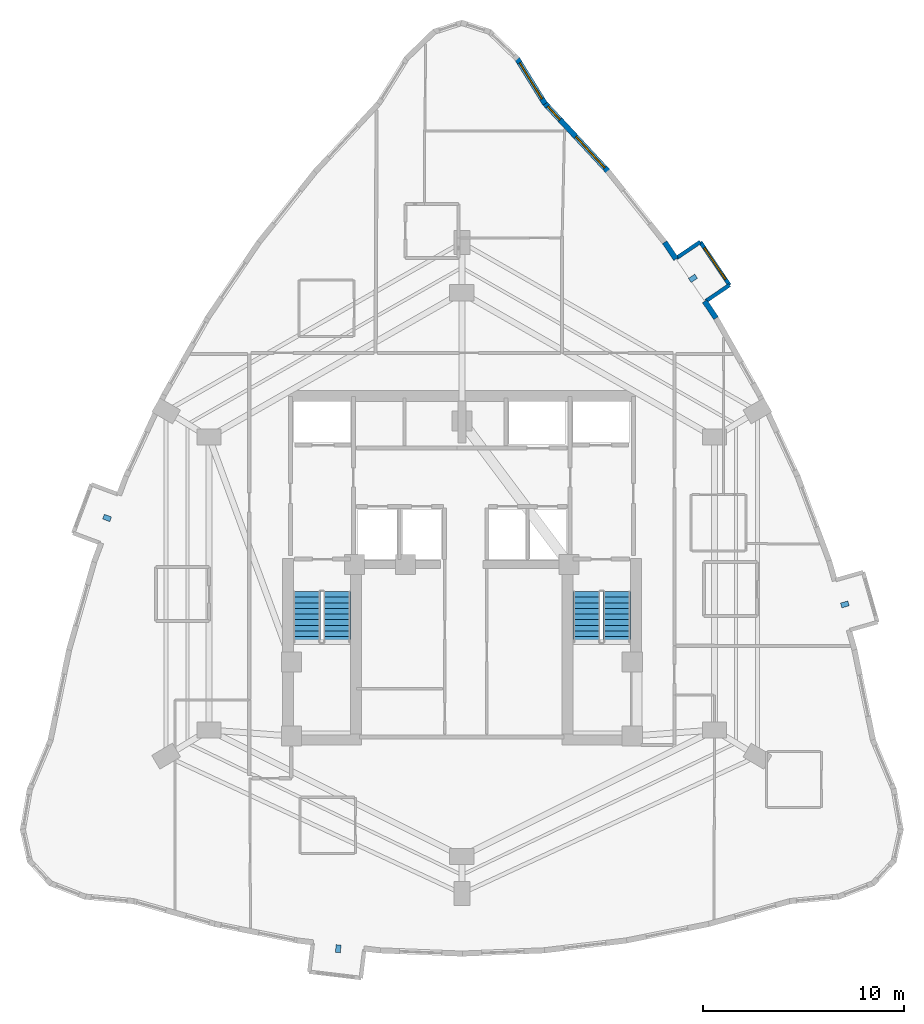
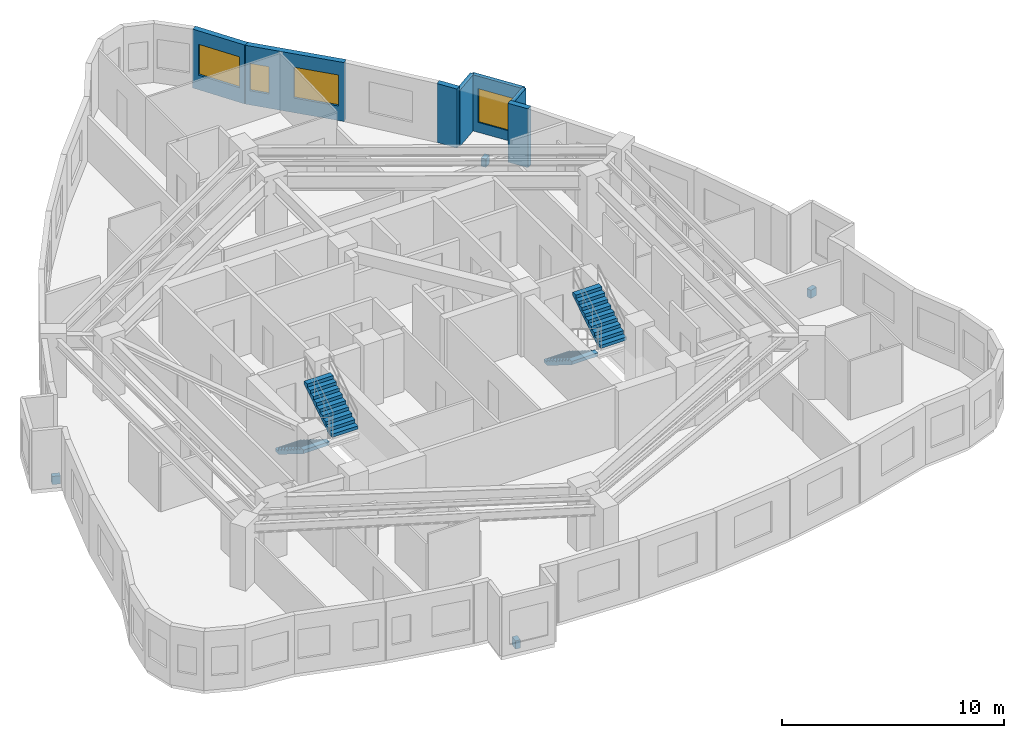
# One storey, part 9 of 10: 7 walls, 4 discrete accessories, 4 stair flights, 4 windows, 4 openings, 2 elements without a shape of their own.
"""IFC4 building model written with IfcOpenShell, lengths in metres."""

import ifcopenshell
import ifcopenshell.guid

model = None  # the IFC model being written
_history = None  # IfcOwnerHistory: only IFC2X3 demands one
_inside = {}  # id of a spatial element -> (the spatial element, [elements in it])
_under = {}  # id of a project, library or spatial element -> (it, [spatial elements below it])
_declared = {}  # id of a project -> (the project, [libraries it declares])
_typed = {}  # id of a type object -> (the type object, [elements of that type])
_made_of = {}  # id of a material, layer set ... -> (it, [elements and type objects made of it])


def new_model(schema):
    """Start an empty IFC model of exactly this schema.

    Asked for "IFC4X3", IfcOpenShell would pick the latest addendum, in which some entities
    have other attributes; the version numbers below select the first issue.
    IFC2X3 requires an IfcOwnerHistory on every rooted entity: one is made here for all.
    """
    global model, _history
    if schema == "IFC4X3":
        model = ifcopenshell.file(schema_version=(4, 3, 0, 0))
    else:
        model = ifcopenshell.file(schema=schema)
    _inside.clear()
    _under.clear()
    _declared.clear()
    _typed.clear()
    _made_of.clear()
    _history = None
    if model.schema == "IFC2X3":
        org = make("IfcOrganization", Name="unknown")
        user = make(
            "IfcPersonAndOrganization",
            ThePerson=make("IfcPerson", FamilyName="unknown"),
            TheOrganization=org,
        )
        app = make(
            "IfcApplication",
            ApplicationDeveloper=org,
            Version="unknown",
            ApplicationFullName="unknown",
            ApplicationIdentifier="unknown",
        )
        _history = make(
            "IfcOwnerHistory",
            OwningUser=user,
            OwningApplication=app,
            ChangeAction="ADDED",
            CreationDate=0,
        )
    return model


def make(cls, **values):
    """One entity of the class cls with the attributes given. An attribute that is None is left unset."""
    return model.create_entity(
        cls, **{name: value for name, value in values.items() if value is not None}
    )


def rooted(cls, **values):
    """An entity with a GlobalId (a new one), such as an element, a storey or a relation."""
    return make(cls, GlobalId=ifcopenshell.guid.new(), OwnerHistory=_history, **values)


def si_unit(unit_type, name, prefix=None):
    """IfcSIUnit, for example si_unit("LENGTHUNIT", "METRE", prefix="MILLI")."""
    return make("IfcSIUnit", UnitType=unit_type, Prefix=prefix, Name=name)


def assignment(units):
    """IfcUnitAssignment: the units of a project."""
    return None if units is None else make("IfcUnitAssignment", Units=units)


def point(xyz):
    """IfcCartesianPoint."""
    return None if xyz is None else make("IfcCartesianPoint", Coordinates=xyz)


def direction(xyz):
    """IfcDirection."""
    return None if xyz is None else make("IfcDirection", DirectionRatios=xyz)


def frame(location, z_axis=None, x_axis=None):
    """IfcAxis2Placement3D, a coordinate frame: its origin and axes. An axis left out is left unset."""
    return make(
        "IfcAxis2Placement3D",
        Location=point(location),
        Axis=direction(z_axis),
        RefDirection=direction(x_axis),
    )


def frame_2d(location, x_axis=None):
    """IfcAxis2Placement2D, a coordinate frame in the plane: its origin and x axis."""
    return make(
        "IfcAxis2Placement2D", Location=point(location), RefDirection=direction(x_axis)
    )


def origin():
    """The frame at (0, 0, 0) with its axes left unset."""
    return frame((0.0, 0.0, 0.0))


def origin_2d():
    """The frame at (0, 0) in the plane with its x axis left unset."""
    return frame_2d((0.0, 0.0))


def place(relative_to, where):
    """IfcLocalPlacement: puts the frame where relative to a parent placement (None: the world)."""
    return make(
        "IfcLocalPlacement", PlacementRelTo=relative_to, RelativePlacement=where
    )


def context(
    kind, dimensions, precision=None, world=None, true_north=None, identifier=None
):
    """IfcGeometricRepresentationContext, for example the 3D "Model" context."""
    return make(
        "IfcGeometricRepresentationContext",
        ContextIdentifier=identifier,
        ContextType=kind,
        CoordinateSpaceDimension=dimensions,
        Precision=precision,
        WorldCoordinateSystem=world,
        TrueNorth=true_north,
    )


def subcontext(parent, identifier, kind, view, scale=None):
    """IfcGeometricRepresentationSubContext, for example "Body" below "Model"."""
    return make(
        "IfcGeometricRepresentationSubContext",
        ContextIdentifier=identifier,
        ContextType=kind,
        ParentContext=parent,
        TargetScale=scale,
        TargetView=view,
    )


def project(units=None, contexts=None):
    """IfcProject with its units and contexts."""
    return rooted(
        "IfcProject",
        Name="project",
        RepresentationContexts=contexts,
        UnitsInContext=assignment(units),
    )


def spatial(cls, under=None, at=None, **own):
    """A site, building, storey or space (cls), placed at a placement, below another one or the project."""
    s = rooted(cls, ObjectPlacement=at, **own)
    if under is not None:
        _under.setdefault(under.id(), (under, []))[1].append(s)
    return s


def polyline(points):
    """IfcPolyline through the points."""
    return make("IfcPolyline", Points=[point(p) for p in points])


def profile(cls, at=None, kind="AREA", **sizes):
    """A parametric profile (cls). Its sizes go by their IFC names, for example OverallWidth=200.0."""
    return make(cls, ProfileType=kind, Position=at, **sizes)


def rectangle(**sizes):
    """IfcRectangleProfileDef."""
    return profile("IfcRectangleProfileDef", **sizes)


def outline(outer, holes=None, kind="AREA"):
    """IfcArbitraryClosedProfileDef: a profile drawn as a closed curve; with holes, ...WithVoids."""
    if holes is None:
        return make("IfcArbitraryClosedProfileDef", ProfileType=kind, OuterCurve=outer)
    return make(
        "IfcArbitraryProfileDefWithVoids",
        ProfileType=kind,
        OuterCurve=outer,
        InnerCurves=holes,
    )


def extrude(swept, where, along, depth):
    """IfcExtrudedAreaSolid: the profile swept, set in the frame where, extruded along a direction by depth."""
    return make(
        "IfcExtrudedAreaSolid",
        SweptArea=swept,
        Position=where,
        ExtrudedDirection=direction(along),
        Depth=depth,
    )


def shape(context_of_items, identifier, shape_type, items):
    """IfcShapeRepresentation: the items that make up one representation, for example the "Body"."""
    return make(
        "IfcShapeRepresentation",
        ContextOfItems=context_of_items,
        RepresentationIdentifier=identifier,
        RepresentationType=shape_type,
        Items=items,
    )


def material(Name=None, Category=None):
    """IfcMaterial."""
    return make("IfcMaterial", Name=Name, Category=Category)


def layer(
    of_material, thickness, ventilated=None, Name=None, Category=None, Priority=None
):
    """IfcMaterialLayer: one layer of a wall or slab, of a material (None: an air gap)."""
    return make(
        "IfcMaterialLayer",
        Material=of_material,
        LayerThickness=thickness,
        IsVentilated=ventilated,
        Name=Name,
        Category=Category,
        Priority=Priority,
    )


def layer_set(layers, Name=None):
    """IfcMaterialLayerSet."""
    return make("IfcMaterialLayerSet", MaterialLayers=layers, LayerSetName=Name)


def made_of(thing, what):
    """Note that an element or type object is made of a material, layer set ...; save() writes the relation."""
    if what is not None:
        _made_of.setdefault(what.id(), (what, []))[1].append(thing)
    return thing


def type_object(cls, material=None, **own):
    """A type object (cls), such as IfcWallType, which elements share."""
    return made_of(rooted(cls, **own), material)


def element(
    cls,
    number,
    at=None,
    inside=None,
    cuts=None,
    type_object=None,
    material=None,
    context=None,
    identifier="Body",
    shape_type=None,
    held_by="IfcProductDefinitionShape",
    body=None,
    shapes=None,
    **own,
):
    """One element of the class cls, such as IfcWall. Its Tag is "e" and its number.

    at: its placement. inside: the storey or other place that contains it. cuts: it is an
    opening in that element (IfcRelVoidsElement). A single representation is given by context,
    identifier, shape_type and body (its items); several are given by shapes. held_by: the class
    of the entity that holds the representations. save() writes the other relations.
    """
    e = rooted(cls, Tag="e%d" % number, ObjectPlacement=at, **own)
    if body is not None:
        shapes = [shape(context, identifier, shape_type, body)]
    if shapes is not None:
        e.Representation = make(held_by, Representations=shapes)
    if inside is not None:
        _inside.setdefault(inside.id(), (inside, []))[1].append(e)
    if cuts is not None:
        rooted(
            "IfcRelVoidsElement", RelatingBuildingElement=cuts, RelatedOpeningElement=e
        )
    if type_object is not None:
        _typed.setdefault(type_object.id(), (type_object, []))[1].append(e)
    return made_of(e, material)


def fill(opening, filler):
    """IfcRelFillsElement: the door or window that sits in an opening."""
    return rooted(
        "IfcRelFillsElement",
        RelatingOpeningElement=opening,
        RelatedBuildingElement=filler,
    )


def aggregate(whole, parts):
    """IfcRelAggregates: a whole, such as a stair, and the parts it consists of."""
    return rooted("IfcRelAggregates", RelatingObject=whole, RelatedObjects=parts)


def save(model, path):
    """Write the relations noted so far, then the file.

    IfcRelAggregates (storeys below a building ...), IfcRelContainedInSpatialStructure (elements
    in a storey), IfcRelDefinesByType, IfcRelAssociatesMaterial and IfcRelDeclares: one each for
    every whole, place, type object, material and project.
    """
    for whole, parts in _under.values():
        aggregate(whole, parts)
    for where, things in _inside.values():
        rooted(
            "IfcRelContainedInSpatialStructure",
            RelatedElements=things,
            RelatingStructure=where,
        )
    for kind, things in _typed.values():
        rooted("IfcRelDefinesByType", RelatedObjects=things, RelatingType=kind)
    for what, things in _made_of.values():
        rooted("IfcRelAssociatesMaterial", RelatedObjects=things, RelatingMaterial=what)
    for by, libraries in _declared.values():
        rooted("IfcRelDeclares", RelatingContext=by, RelatedDefinitions=libraries)
    model.write(path)


model = new_model("IFC4")

# Units and contexts
model_context = context("Model", 3, precision=1e-05, world=origin(), true_north=direction((0.0, 1.0)))
body_context = subcontext(model_context, "Body", "Model", "MODEL_VIEW")
ifc_project = project(units=[si_unit("LENGTHUNIT", "METRE"), si_unit("AREAUNIT", "SQUARE_METRE"), si_unit("VOLUMEUNIT", "CUBIC_METRE"), si_unit("PLANEANGLEUNIT", "RADIAN"), si_unit("MASSUNIT", "GRAM", prefix="KILO")], contexts=[model_context])

# Site, building, storey
site_placement = place(None, origin())
site = spatial("IfcSite", under=ifc_project, at=site_placement, CompositionType="ELEMENT")
building_placement = place(site_placement, origin())
building = spatial("IfcBuilding", under=site, at=building_placement, Name="Miruveldt Soraemaru", CompositionType="ELEMENT")
storey_placement = place(building_placement, frame((0.0, 0.0, 124.89990234375)))
storey = spatial("IfcBuildingStorey", under=building, at=storey_placement, Name="L34", CompositionType="ELEMENT", Elevation=124.89990234375)

# Walls
ifc_material_1 = material(Name="White powder-coated aluminium EN AW-6060 T6", Category="aluminium")
ifc_layer_1 = layer(ifc_material_1, 0.18994140625, Name="White powder-coated aluminium EN AW-6060 T6", Category="aluminium")
ifc_layer_set_1 = layer_set([ifc_layer_1], Name="White powder-coated aluminium EN AW-6060 T6")
wall_type_1 = type_object("IfcWallType", Name="WALL-BAY-ALU190", PredefinedType="SOLIDWALL", material=ifc_layer_set_1)
for number, where, z_axis, x_axis, name in (
    (1, (56.168701171875, 57.18310546875, 0.0), (0.0, 0.0, 1.0), (0.827862228344, 0.560931485016, 0.0), "L34 Bay Window Side Cheek 4L"),
    (2, (55.890380859375, 60.135009765625, 0.0), (0.0, 0.0, 1.0), (-0.827862228344, -0.560931485016, 0.0), "L34 Bay Window Side Cheek 4R"),
):
    element("IfcWall", number, at=place(storey_placement, frame(where, z_axis=z_axis, x_axis=x_axis)), inside=storey, type_object=wall_type_1, Name=name, PredefinedType="SOLIDWALL", context=body_context, shape_type="SweptSolid", body=[
        extrude(rectangle(XDim=1.425048828125, YDim=0.18994140625, at=frame_2d((0.71240234375, 0.0))), origin(), (0.0, 0.0, 1.0), 3.085205078125),
    ])

# Wall, opening, window
wall_1_placement = place(storey_placement, frame((57.348388671875, 57.982421875, 0.0), z_axis=(0.0, 0.0, 1.0), x_axis=(-0.560796235507, 0.827953852724, 0.0)))
wall_1 = element("IfcWall", 3, at=wall_1_placement, inside=storey, type_object=wall_type_1, Name="L34 Bay Window Front Frame 4", PredefinedType="SOLIDWALL", context=body_context, shape_type="SweptSolid", body=[
    extrude(rectangle(XDim=2.599853515625, YDim=0.18994140625, at=frame_2d((1.2998046875, 0.0))), origin(), (0.0, 0.0, 1.0), 3.085205078125),
])
opening_1_placement = place(wall_1_placement, frame((0.35009765625, 0.0, 0.550048828125)))
opening_1 = element("IfcOpeningElement", 4, at=opening_1_placement, cuts=wall_1, Name="Opening WN-6", PredefinedType="OPENING", context=body_context, shape_type="SweptSolid", body=[
    extrude(rectangle(XDim=1.89990234375, YDim=1.85009765625, at=frame_2d((0.949951171875, 0.925048828125))), frame((0.0, 0.10498046875, 0.0), z_axis=(0.0, -1.0, 0.0), x_axis=(1.0, 0.0, 0.0)), (0.0, 0.0, 1.0), 0.2099609375),
])
ifc_material_2 = material(Name="Triple low-e insulated glazing", Category="glass")
window_type_1 = type_object("IfcWindowType", Name="WIN-BAYW-1900x1850", PartitioningType="SINGLE_PANEL", PredefinedType="WINDOW", material=ifc_material_2)
window_1_placement = place(opening_1_placement, origin())
window_1 = element("IfcWindow", 5, at=window_1_placement, inside=storey, type_object=window_type_1, Name="L34 Projecting Bay Window 4", OverallHeight=1.85009765625, OverallWidth=1.89990234375, PartitioningType="SINGLE_PANEL", PredefinedType="WINDOW", context=body_context, shape_type="SweptSolid", body=[
    extrude(rectangle(XDim=1.89990234375, YDim=1.85009765625, at=frame_2d((0.949951171875, 0.925048828125))), frame((0.0, 0.030029296875, 0.0), z_axis=(0.0, -1.0, 0.0), x_axis=(1.0, 0.0, 0.0)), (0.0, 0.0, 1.0), 0.06005859375),
])
fill(opening_1, window_1)

ifc_material_3 = material(Name="Precast concrete C45/55 (45 MPa)", Category="concrete")
ifc_layer_2 = layer(ifc_material_3, 0.27001953125, Name="Precast concrete C45/55 (45 MPa)", Category="concrete")
ifc_layer_set_2 = layer_set([ifc_layer_2], Name="Precast concrete C45/55 (45 MPa)")
wall_type_2 = type_object("IfcWallType", Name="WALL-EXT-PC270", PredefinedType="SOLIDWALL", material=ifc_layer_set_2)
wall_2_placement = place(storey_placement, frame((48.150634765625, 67.02099609375, 0.0), z_axis=(0.0, 0.0, 1.0), x_axis=(-0.526066967344, 0.850443146759, 0.0)))
wall_2 = element("IfcWall", 6, at=wall_2_placement, inside=storey, type_object=wall_type_2, Name="L34 Precast Concrete Facade Wall 1", PredefinedType="SOLIDWALL", context=body_context, shape_type="SweptSolid", body=[
    extrude(rectangle(XDim=2.6884765625, YDim=0.27001953125, at=frame_2d((1.34423828125, 0.0))), origin(), (0.0, 0.0, 1.0), 3.235107421875),
])
opening_2_placement = place(wall_2_placement, frame((0.2939453125, 0.0, 0.800048828125)))
opening_2 = element("IfcOpeningElement", 7, at=opening_2_placement, cuts=wall_2, Name="Opening WN-1", PredefinedType="OPENING", context=body_context, shape_type="SweptSolid", body=[
    extrude(rectangle(XDim=2.10009765625, YDim=1.699951171875, at=frame_2d((1.050048828125, 0.85009765625))), frame((0.0, 0.14501953125, 0.0), z_axis=(0.0, -1.0, 0.0), x_axis=(1.0, 0.0, 0.0)), (0.0, 0.0, 1.0), 0.2900390625),
])
window_type_2 = type_object("IfcWindowType", Name="WIN-PUNCH-2100x1700", PartitioningType="SINGLE_PANEL", PredefinedType="WINDOW", material=ifc_material_2)
window_2_placement = place(opening_2_placement, origin())
window_2 = element("IfcWindow", 8, at=window_2_placement, inside=storey, type_object=window_type_2, Name="L34 Punched Triple-Glazed Window 01.1", OverallHeight=1.699951171875, OverallWidth=2.10009765625, PartitioningType="SINGLE_PANEL", PredefinedType="WINDOW", context=body_context, shape_type="SweptSolid", body=[
    extrude(rectangle(XDim=2.10009765625, YDim=1.699951171875, at=frame_2d((1.050048828125, 0.85009765625))), frame((0.0, 0.030029296875, 0.0), z_axis=(0.0, -1.0, 0.0), x_axis=(1.0, 0.0, 0.0)), (0.0, 0.0, 1.0), 0.06005859375),
])
fill(opening_2, window_2)

# Walls
for number, where, z_axis, x_axis, name in (
    (9, (56.675537109375, 56.3369140625, 0.0), (0.0, 0.0, 1.0), (-0.56084814517, 0.827918690488, 0.0), "L34 Precast Pier Wall 40A"),
    (10, (54.681884765625, 59.2802734375, 0.0), (0.0, 0.0, 1.0), (-0.56084814517, 0.827918690488, 0.0), "L34 Precast Pier Wall 40B"),
):
    element("IfcWall", number, at=place(storey_placement, frame(where, z_axis=z_axis, x_axis=x_axis)), inside=storey, type_object=wall_type_2, Name=name, PredefinedType="SOLIDWALL", context=body_context, shape_type="SweptSolid", body=[
        extrude(rectangle(XDim=1.0146484375, YDim=0.27001953125, at=frame_2d((0.50732421875, 0.0))), origin(), (0.0, 0.0, 1.0), 3.235107421875),
    ])

# Wall, openings, windows
wall_3_placement = place(storey_placement, frame((51.31494140625, 63.627197265625, 0.0), z_axis=(0.0, 0.0, 1.0), x_axis=(-0.680872527791, 0.732401939442, 0.0)))
wall_3 = element("IfcWall", 11, at=wall_3_placement, inside=storey, type_object=wall_type_2, Name="L34 Precast Concrete Facade Wall 42", PredefinedType="SOLIDWALL", context=body_context, shape_type="SweptSolid", body=[
    extrude(rectangle(XDim=4.70947265625, YDim=0.27001953125, at=frame_2d((2.354736328125, 0.0))), origin(), (0.0, 0.0, 1.0), 3.235107421875),
])
opening_3_placement = place(wall_3_placement, frame((0.281982421875, 0.0, 0.800048828125)))
opening_3 = element("IfcOpeningElement", 12, at=opening_3_placement, cuts=wall_3, Name="Opening WN-1", PredefinedType="OPENING", context=body_context, shape_type="SweptSolid", body=[
    extrude(rectangle(XDim=2.10009765625, YDim=1.699951171875, at=frame_2d((1.050048828125, 0.85009765625))), frame((0.0, 0.14501953125, 0.0), z_axis=(0.0, -1.0, 0.0), x_axis=(1.0, 0.0, 0.0)), (0.0, 0.0, 1.0), 0.2900390625),
])
opening_4_placement = place(wall_3_placement, frame((3.553955078125, 0.0, 0.780029296875)))
opening_4 = element("IfcOpeningElement", 13, at=opening_4_placement, cuts=wall_3, Name="Opening WN-7", PredefinedType="OPENING", context=body_context, shape_type="SweptSolid", body=[
    extrude(rectangle(XDim=0.89990234375, YDim=1.5, at=frame_2d((0.449951171875, 0.75))), frame((0.0, 0.14501953125, 0.0), z_axis=(0.0, -1.0, 0.0), x_axis=(1.0, 0.0, 0.0)), (0.0, 0.0, 1.0), 0.2900390625),
])
window_3_placement = place(opening_3_placement, origin())
window_3 = element("IfcWindow", 14, at=window_3_placement, inside=storey, type_object=window_type_2, Name="L34 Punched Triple-Glazed Window 42.1", OverallHeight=1.699951171875, OverallWidth=2.10009765625, PartitioningType="SINGLE_PANEL", PredefinedType="WINDOW", context=body_context, shape_type="SweptSolid", body=[
    extrude(rectangle(XDim=2.10009765625, YDim=1.699951171875, at=frame_2d((1.050048828125, 0.85009765625))), frame((0.0, 0.030029296875, 0.0), z_axis=(0.0, -1.0, 0.0), x_axis=(1.0, 0.0, 0.0)), (0.0, 0.0, 1.0), 0.06005859375),
])
fill(opening_3, window_3)
window_type_3 = type_object("IfcWindowType", Name="WIN-PUNCH-900x1500", PartitioningType="SINGLE_PANEL", PredefinedType="WINDOW", material=ifc_material_2)
window_4_placement = place(opening_4_placement, origin())
window_4 = element("IfcWindow", 15, at=window_4_placement, inside=storey, type_object=window_type_3, Name="L34 Punched Triple-Glazed Window 42.2", OverallHeight=1.5, OverallWidth=0.89990234375, PartitioningType="SINGLE_PANEL", PredefinedType="WINDOW", context=body_context, shape_type="SweptSolid", body=[
    extrude(rectangle(XDim=0.89990234375, YDim=1.5, at=frame_2d((0.449951171875, 0.75))), frame((0.0, 0.030029296875, 0.0), z_axis=(0.0, -1.0, 0.0), x_axis=(1.0, 0.0, 0.0)), (0.0, 0.0, 1.0), 0.06005859375),
])
fill(opening_4, window_4)

# Stair, stair flights
ifc_material_4 = material(Name="Concrete C40/50 (40 MPa)", Category="concrete")
stair_type = type_object("IfcStairType", Name="STAIR-DL-350", PredefinedType="HALF_TURN_STAIR", material=ifc_material_4)
stair_1_placement = place(storey_placement, origin())
stair_1 = element("IfcStair", 16, at=stair_1_placement, inside=storey, type_object=stair_type, Name="L34 Protected Exit Stair ST-1", PredefinedType="HALF_TURN_STAIR")
stair_flight_type = type_object("IfcStairFlightType", Name="SFL-DL-350", PredefinedType="STRAIGHT", material=ifc_material_4)
stair_flight_1_placement = place(storey_placement, frame((36.27490234375, 42.699951171875, 0.0), z_axis=(0.0, 0.0, 1.0), x_axis=(0.0, -1.0, 0.0)))
stair_flight_1 = element("IfcStairFlight", 17, at=stair_flight_1_placement, type_object=stair_flight_type, Name="ST-1 flight 1", NumberOfRisers=10, NumberOfTreads=9, PredefinedType="STRAIGHT", RiserHeight=0.175, TreadLength=0.28, context=body_context, shape_type="SweptSolid", body=[
    extrude(outline(polyline([(0.0, 0.0), (0.0, 0.175048828125), (0.280029296875, 0.175048828125), (0.280029296875, 0.35009765625), (0.56005859375, 0.35009765625), (0.56005859375, 0.52490234375), (0.840087890625, 0.52490234375), (0.840087890625, 0.699951171875), (1.1201171875, 0.699951171875), (1.1201171875, 0.875), (1.39990234375, 0.875), (1.39990234375, 1.050048828125), (1.679931640625, 1.050048828125), (1.679931640625, 1.22509765625), (1.9599609375, 1.22509765625), (1.9599609375, 1.39990234375), (2.239990234375, 1.39990234375), (2.239990234375, 1.574951171875), (2.52001953125, 1.574951171875), (2.52001953125, 1.75), (2.52001953125, 1.386474609375), (0.3017578125, 0.0), (0.0, 0.0)])), frame((0.0, 0.675048828125, 0.0), z_axis=(0.0, -1.0, 0.0), x_axis=(1.0, 0.0, 0.0)), (0.0, 0.0, 1.0), 1.35009765625),
])
stair_flight_2_placement = place(storey_placement, frame((37.77490234375, 40.179931640625, 1.75), z_axis=(0.0, 0.0, 1.0), x_axis=(0.0, 1.0, 0.0)))
stair_flight_2 = element("IfcStairFlight", 18, at=stair_flight_2_placement, type_object=stair_flight_type, Name="ST-1 flight 2", NumberOfRisers=10, NumberOfTreads=9, PredefinedType="STRAIGHT", RiserHeight=0.175, TreadLength=0.28, context=body_context, shape_type="SweptSolid", body=[
    extrude(outline(polyline([(0.0, 0.0), (0.0, 0.175048828125), (0.280029296875, 0.175048828125), (0.280029296875, 0.35009765625), (0.56005859375, 0.35009765625), (0.56005859375, 0.52490234375), (0.840087890625, 0.52490234375), (0.840087890625, 0.699951171875), (1.1201171875, 0.699951171875), (1.1201171875, 0.875), (1.39990234375, 0.875), (1.39990234375, 1.050048828125), (1.679931640625, 1.050048828125), (1.679931640625, 1.22509765625), (1.9599609375, 1.22509765625), (1.9599609375, 1.39990234375), (2.239990234375, 1.39990234375), (2.239990234375, 1.574951171875), (2.52001953125, 1.574951171875), (2.52001953125, 1.75), (2.52001953125, 1.386474609375), (0.3017578125, 0.0), (0.0, 0.0)])), frame((0.0, 0.675048828125, 0.0), z_axis=(0.0, -1.0, 0.0), x_axis=(1.0, 0.0, 0.0)), (0.0, 0.0, 1.0), 1.35009765625),
])
aggregate(stair_1, [stair_flight_1, stair_flight_2])

stair_2_placement = place(storey_placement, origin())
stair_2 = element("IfcStair", 19, at=stair_2_placement, inside=storey, type_object=stair_type, Name="L34 Protected Exit Stair ST-2", PredefinedType="HALF_TURN_STAIR")
stair_flight_3_placement = place(storey_placement, frame((50.22509765625, 42.699951171875, 0.0), z_axis=(0.0, 0.0, 1.0), x_axis=(0.0, -1.0, 0.0)))
stair_flight_3 = element("IfcStairFlight", 20, at=stair_flight_3_placement, type_object=stair_flight_type, Name="ST-2 flight 1", NumberOfRisers=10, NumberOfTreads=9, PredefinedType="STRAIGHT", RiserHeight=0.175, TreadLength=0.28, context=body_context, shape_type="SweptSolid", body=[
    extrude(outline(polyline([(0.0, 0.0), (0.0, 0.175048828125), (0.280029296875, 0.175048828125), (0.280029296875, 0.35009765625), (0.56005859375, 0.35009765625), (0.56005859375, 0.52490234375), (0.840087890625, 0.52490234375), (0.840087890625, 0.699951171875), (1.1201171875, 0.699951171875), (1.1201171875, 0.875), (1.39990234375, 0.875), (1.39990234375, 1.050048828125), (1.679931640625, 1.050048828125), (1.679931640625, 1.22509765625), (1.9599609375, 1.22509765625), (1.9599609375, 1.39990234375), (2.239990234375, 1.39990234375), (2.239990234375, 1.574951171875), (2.52001953125, 1.574951171875), (2.52001953125, 1.75), (2.52001953125, 1.386474609375), (0.3017578125, 0.0), (0.0, 0.0)])), frame((0.0, 0.675048828125, 0.0), z_axis=(0.0, -1.0, 0.0), x_axis=(1.0, 0.0, 0.0)), (0.0, 0.0, 1.0), 1.35009765625),
])
stair_flight_4_placement = place(storey_placement, frame((51.72509765625, 40.179931640625, 1.75), z_axis=(0.0, 0.0, 1.0), x_axis=(0.0, 1.0, 0.0)))
stair_flight_4 = element("IfcStairFlight", 21, at=stair_flight_4_placement, type_object=stair_flight_type, Name="ST-2 flight 2", NumberOfRisers=10, NumberOfTreads=9, PredefinedType="STRAIGHT", RiserHeight=0.175, TreadLength=0.28, context=body_context, shape_type="SweptSolid", body=[
    extrude(outline(polyline([(0.0, 0.0), (0.0, 0.175048828125), (0.280029296875, 0.175048828125), (0.280029296875, 0.35009765625), (0.56005859375, 0.35009765625), (0.56005859375, 0.52490234375), (0.840087890625, 0.52490234375), (0.840087890625, 0.699951171875), (1.1201171875, 0.699951171875), (1.1201171875, 0.875), (1.39990234375, 0.875), (1.39990234375, 1.050048828125), (1.679931640625, 1.050048828125), (1.679931640625, 1.22509765625), (1.9599609375, 1.22509765625), (1.9599609375, 1.39990234375), (2.239990234375, 1.39990234375), (2.239990234375, 1.574951171875), (2.52001953125, 1.574951171875), (2.52001953125, 1.75), (2.52001953125, 1.386474609375), (0.3017578125, 0.0), (0.0, 0.0)])), frame((0.0, 0.675048828125, 0.0), z_axis=(0.0, -1.0, 0.0), x_axis=(1.0, 0.0, 0.0)), (0.0, 0.0, 1.0), 1.35009765625),
])
aggregate(stair_2, [stair_flight_3, stair_flight_4])

# Discrete accessories
ifc_material_5 = material(Name="Steel SM355 (355 MPa)", Category="steel")
discrete_accessory_type = type_object("IfcDiscreteAccessoryType", Name="ACC-BAY-BRK", PredefinedType="BRACKET", material=ifc_material_5)
for number, where, z_axis, x_axis, name in (
    (22, (26.314697265625, 46.371337890625, -0.7099609375), (0.0, 0.0, 1.0), (-0.93711153314, 0.349030048069, 0.0), "L34 Bay Window Cantilever Bracket 1"),
    (23, (37.83984375, 24.89697265625, -0.7099609375), (0.0, 0.0, 1.0), (-0.119149147143, -0.992876367296, 0.0), "L34 Bay Window Cantilever Bracket 2"),
    (24, (63.1005859375, 42.06103515625, -0.7099609375), (0.0, 0.0, 1.0), (0.961453892845, 0.274966201438, 0.0), "L34 Bay Window Cantilever Bracket 3"),
    (25, (55.526611328125, 58.318359375, -0.7099609375), (0.0, 0.0, 1.0), (0.827923319955, 0.560841311134, 0.0), "L34 Bay Window Cantilever Bracket 4"),
):
    element("IfcDiscreteAccessory", number, at=place(storey_placement, frame(where, z_axis=z_axis, x_axis=x_axis)), inside=storey, type_object=discrete_accessory_type, Name=name, PredefinedType="BRACKET", context=body_context, shape_type="SweptSolid", body=[
        extrude(rectangle(XDim=0.3798828125, YDim=0.25, at=origin_2d()), origin(), (0.0, 0.0, 1.0), 0.449951171875),
    ])

save(model, "model.ifc")
